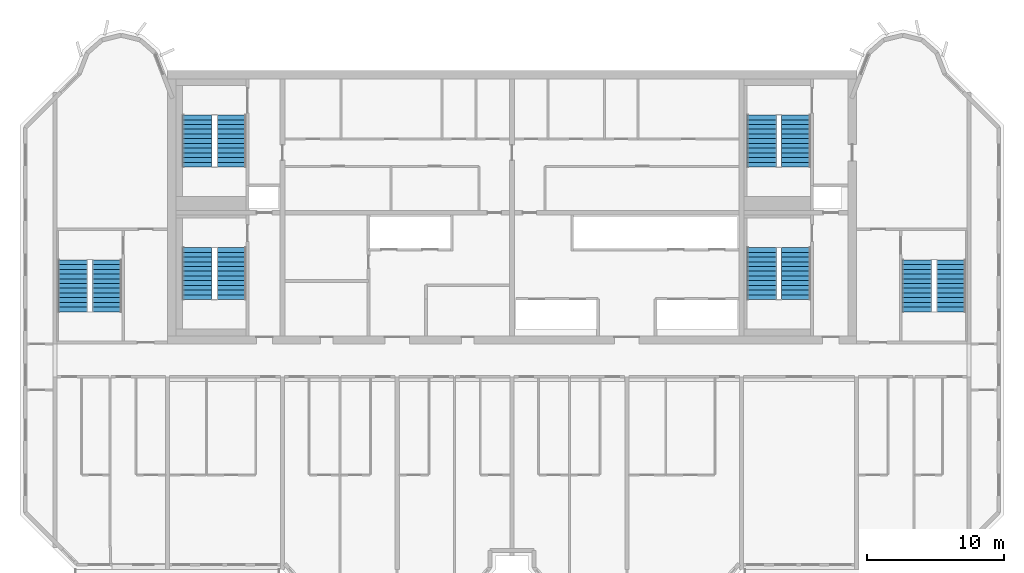
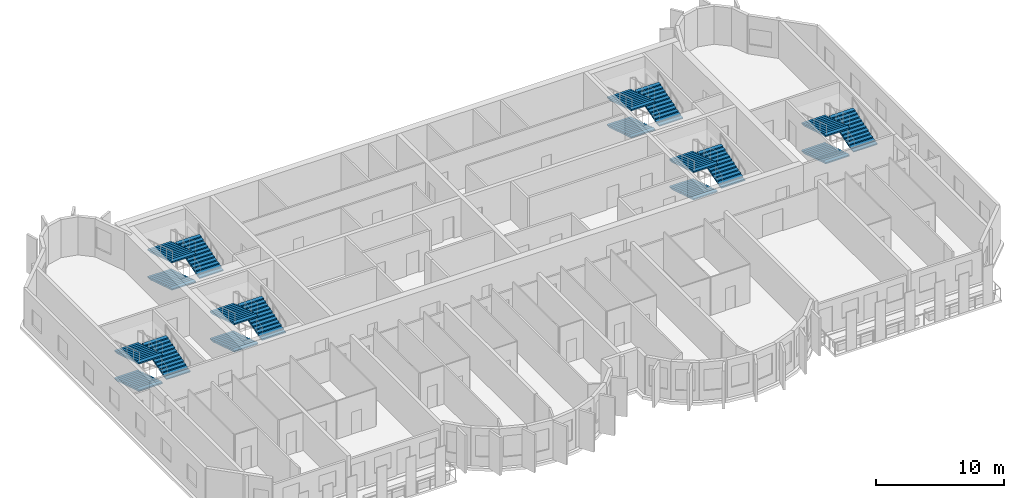
# One storey, part 9 of 11: 18 stair flights, 6 elements without a shape of their own.
"""IFC4 building model written with IfcOpenShell, lengths in metres."""

from ifc_helpers import new_model, si_unit, direction, frame, origin, place, context, subcontext, project, spatial, polyline, outline, extrude, source, transform, mapped, material, type_object, element, aggregate, save


model = new_model("IFC4")

# Units and contexts
model_context = context("Model", 3, precision=1e-05, world=origin(), true_north=direction((0.0, 1.0)))
body_context = subcontext(model_context, "Body", "Model", "MODEL_VIEW")
ifc_project = project(units=[si_unit("LENGTHUNIT", "METRE"), si_unit("AREAUNIT", "SQUARE_METRE"), si_unit("VOLUMEUNIT", "CUBIC_METRE"), si_unit("PLANEANGLEUNIT", "RADIAN"), si_unit("MASSUNIT", "GRAM", prefix="KILO")], contexts=[model_context])

# Site, building, storey
site_placement = place(None, origin())
site = spatial("IfcSite", under=ifc_project, at=site_placement, CompositionType="ELEMENT")
building_placement = place(site_placement, origin())
building = spatial("IfcBuilding", under=site, at=building_placement, Name="Vanashikhar Sky Hotel", CompositionType="ELEMENT")
storey_placement = place(building_placement, frame((0.0, 0.0, 225.699951171875)))
storey = spatial("IfcBuildingStorey", under=building, at=storey_placement, Name="L54", CompositionType="ELEMENT", Elevation=225.699951171875)

# Stair, stair flights
ifc_material = material(Name="Concrete M40", Category="concrete")
stair_type = type_object("IfcStairType", Name="Exit stair 2150", PredefinedType="DOUBLE_RETURN_STAIR", material=ifc_material)
stair_1_placement = place(storey_placement, origin())
stair_1 = element("IfcStair", 1, at=stair_1_placement, inside=storey, type_object=stair_type, Name="L54 Exit stair 1", PredefinedType="DOUBLE_RETURN_STAIR")
stair_flight_type = type_object("IfcStairFlightType", Name="Stair flight 2150", PredefinedType="STRAIGHT", material=ifc_material)
shared_shape = source(origin(), body_context, "Body", "SweptSolid", [
    extrude(outline(polyline([(0.0, 0.0), (0.0, 0.1083984375), (0.345458984375, 0.1083984375), (0.345458984375, 0.216552734375), (0.69091796875, 0.216552734375), (0.69091796875, 0.324951171875), (1.036376953125, 0.324951171875), (1.036376953125, 0.433349609375), (1.3818359375, 0.433349609375), (1.3818359375, 0.541748046875), (1.727294921875, 0.541748046875), (1.727294921875, 0.64990234375), (2.07275390625, 0.64990234375), (2.07275390625, 0.75830078125), (2.418212890625, 0.75830078125), (2.418212890625, 0.86669921875), (2.763671875, 0.86669921875), (2.763671875, 0.97509765625), (3.109130859375, 0.97509765625), (3.109130859375, 1.083251953125), (3.45458984375, 1.083251953125), (3.45458984375, 1.191650390625), (3.800048828125, 1.191650390625), (3.800048828125, 1.300048828125), (3.800048828125, 1.065673828125), (0.4013671875, 0.0), (0.0, 0.0)])), frame((0.0, 1.074951171875, 0.0), z_axis=(0.0, -1.0, 0.0), x_axis=(1.0, 0.0, 0.0)), (0.0, 0.0, 1.0), 2.14990234375),
])
stair_flight_1_placement = place(storey_placement, frame((27.375, 29.050048828125, 0.0), z_axis=(0.0, 0.0, 1.0), x_axis=(0.0, -1.0, 0.0)))
stair_flight_1 = element("IfcStairFlight", 2, at=stair_flight_1_placement, type_object=stair_flight_type, Name="ST-C1 flight 1", NumberOfRisers=12, NumberOfTreads=11, PredefinedType="STRAIGHT", RiserHeight=0.108333333, TreadLength=0.345454545, context=body_context, shape_type="MappedRepresentation", body=[
    mapped(shared_shape, transform((0.0, 0.0, 0.0), scale=1.0)),
])
stair_flight_2_placement = place(storey_placement, frame((29.875, 25.25, 1.300048828125), z_axis=(0.0, 0.0, 1.0), x_axis=(0.0, 1.0, 0.0)))
stair_flight_2 = element("IfcStairFlight", 3, at=stair_flight_2_placement, type_object=stair_flight_type, Name="ST-C1 flight 2", NumberOfRisers=12, NumberOfTreads=11, PredefinedType="STRAIGHT", RiserHeight=0.108333333, TreadLength=0.345454545, context=body_context, shape_type="MappedRepresentation", body=[
    mapped(shared_shape, transform((0.0, 0.0, 0.0), scale=1.0)),
])
stair_flight_3_placement = place(storey_placement, frame((27.375, 29.050048828125, 2.60009765625), z_axis=(0.0, 0.0, 1.0), x_axis=(0.0, -1.0, 0.0)))
stair_flight_3 = element("IfcStairFlight", 4, at=stair_flight_3_placement, type_object=stair_flight_type, Name="ST-C1 flight 3", NumberOfRisers=12, NumberOfTreads=11, PredefinedType="STRAIGHT", RiserHeight=0.108333333, TreadLength=0.345454545, context=body_context, shape_type="MappedRepresentation", body=[
    mapped(shared_shape, transform((0.0, 0.0, 0.0), scale=1.0)),
])
aggregate(stair_1, [stair_flight_1, stair_flight_2, stair_flight_3])

stair_2_placement = place(storey_placement, origin())
stair_2 = element("IfcStair", 5, at=stair_2_placement, inside=storey, type_object=stair_type, Name="L54 Exit stair 2", PredefinedType="DOUBLE_RETURN_STAIR")
stair_flight_4_placement = place(storey_placement, frame((68.675048828125, 29.050048828125, 0.0), z_axis=(0.0, 0.0, 1.0), x_axis=(0.0, -1.0, 0.0)))
stair_flight_4 = element("IfcStairFlight", 6, at=stair_flight_4_placement, type_object=stair_flight_type, Name="ST-C2 flight 1", NumberOfRisers=12, NumberOfTreads=11, PredefinedType="STRAIGHT", RiserHeight=0.108333333, TreadLength=0.345454545, context=body_context, shape_type="MappedRepresentation", body=[
    mapped(shared_shape, transform((0.0, 0.0, 0.0), scale=1.0)),
])
stair_flight_5_placement = place(storey_placement, frame((71.175048828125, 25.25, 1.300048828125), z_axis=(0.0, 0.0, 1.0), x_axis=(0.0, 1.0, 0.0)))
stair_flight_5 = element("IfcStairFlight", 7, at=stair_flight_5_placement, type_object=stair_flight_type, Name="ST-C2 flight 2", NumberOfRisers=12, NumberOfTreads=11, PredefinedType="STRAIGHT", RiserHeight=0.108333333, TreadLength=0.345454545, context=body_context, shape_type="MappedRepresentation", body=[
    mapped(shared_shape, transform((0.0, 0.0, 0.0), scale=1.0)),
])
stair_flight_6_placement = place(storey_placement, frame((68.675048828125, 29.050048828125, 2.60009765625), z_axis=(0.0, 0.0, 1.0), x_axis=(0.0, -1.0, 0.0)))
stair_flight_6 = element("IfcStairFlight", 8, at=stair_flight_6_placement, type_object=stair_flight_type, Name="ST-C2 flight 3", NumberOfRisers=12, NumberOfTreads=11, PredefinedType="STRAIGHT", RiserHeight=0.108333333, TreadLength=0.345454545, context=body_context, shape_type="MappedRepresentation", body=[
    mapped(shared_shape, transform((0.0, 0.0, 0.0), scale=1.0)),
])
aggregate(stair_2, [stair_flight_4, stair_flight_5, stair_flight_6])

stair_3_placement = place(storey_placement, origin())
stair_3 = element("IfcStair", 9, at=stair_3_placement, inside=storey, type_object=stair_type, Name="L54 Exit stair 3", PredefinedType="DOUBLE_RETURN_STAIR")
stair_flight_7_placement = place(storey_placement, frame((18.27490234375, 28.14990234375, 0.0), z_axis=(0.0, 0.0, 1.0), x_axis=(0.0, -1.0, 0.0)))
stair_flight_7 = element("IfcStairFlight", 10, at=stair_flight_7_placement, type_object=stair_flight_type, Name="ST-W flight 1", NumberOfRisers=12, NumberOfTreads=11, PredefinedType="STRAIGHT", RiserHeight=0.108333333, TreadLength=0.345454545, context=body_context, shape_type="MappedRepresentation", body=[
    mapped(shared_shape, transform((0.0, 0.0, 0.0), scale=1.0)),
])
stair_flight_8_placement = place(storey_placement, frame((20.77490234375, 24.35009765625, 1.300048828125), z_axis=(0.0, 0.0, 1.0), x_axis=(0.0, 1.0, 0.0)))
stair_flight_8 = element("IfcStairFlight", 11, at=stair_flight_8_placement, type_object=stair_flight_type, Name="ST-W flight 2", NumberOfRisers=12, NumberOfTreads=11, PredefinedType="STRAIGHT", RiserHeight=0.108333333, TreadLength=0.345454545, context=body_context, shape_type="MappedRepresentation", body=[
    mapped(shared_shape, transform((0.0, 0.0, 0.0), scale=1.0)),
])
stair_flight_9_placement = place(storey_placement, frame((18.27490234375, 28.14990234375, 2.60009765625), z_axis=(0.0, 0.0, 1.0), x_axis=(0.0, -1.0, 0.0)))
stair_flight_9 = element("IfcStairFlight", 12, at=stair_flight_9_placement, type_object=stair_flight_type, Name="ST-W flight 3", NumberOfRisers=12, NumberOfTreads=11, PredefinedType="STRAIGHT", RiserHeight=0.108333333, TreadLength=0.345454545, context=body_context, shape_type="MappedRepresentation", body=[
    mapped(shared_shape, transform((0.0, 0.0, 0.0), scale=1.0)),
])
aggregate(stair_3, [stair_flight_7, stair_flight_8, stair_flight_9])

stair_4_placement = place(storey_placement, origin())
stair_4 = element("IfcStair", 13, at=stair_4_placement, inside=storey, type_object=stair_type, Name="L54 Exit stair 4", PredefinedType="DOUBLE_RETURN_STAIR")
stair_flight_10_placement = place(storey_placement, frame((80.02490234375, 28.14990234375, 0.0), z_axis=(0.0, 0.0, 1.0), x_axis=(0.0, -1.0, 0.0)))
stair_flight_10 = element("IfcStairFlight", 14, at=stair_flight_10_placement, type_object=stair_flight_type, Name="ST-E flight 1", NumberOfRisers=12, NumberOfTreads=11, PredefinedType="STRAIGHT", RiserHeight=0.108333333, TreadLength=0.345454545, context=body_context, shape_type="MappedRepresentation", body=[
    mapped(shared_shape, transform((0.0, 0.0, 0.0), scale=1.0)),
])
stair_flight_11_placement = place(storey_placement, frame((82.52490234375, 24.35009765625, 1.300048828125), z_axis=(0.0, 0.0, 1.0), x_axis=(0.0, 1.0, 0.0)))
stair_flight_11 = element("IfcStairFlight", 15, at=stair_flight_11_placement, type_object=stair_flight_type, Name="ST-E flight 2", NumberOfRisers=12, NumberOfTreads=11, PredefinedType="STRAIGHT", RiserHeight=0.108333333, TreadLength=0.345454545, context=body_context, shape_type="MappedRepresentation", body=[
    mapped(shared_shape, transform((0.0, 0.0, 0.0), scale=1.0)),
])
stair_flight_12_placement = place(storey_placement, frame((80.02490234375, 28.14990234375, 2.60009765625), z_axis=(0.0, 0.0, 1.0), x_axis=(0.0, -1.0, 0.0)))
stair_flight_12 = element("IfcStairFlight", 16, at=stair_flight_12_placement, type_object=stair_flight_type, Name="ST-E flight 3", NumberOfRisers=12, NumberOfTreads=11, PredefinedType="STRAIGHT", RiserHeight=0.108333333, TreadLength=0.345454545, context=body_context, shape_type="MappedRepresentation", body=[
    mapped(shared_shape, transform((0.0, 0.0, 0.0), scale=1.0)),
])
aggregate(stair_4, [stair_flight_10, stair_flight_11, stair_flight_12])

stair_5_placement = place(storey_placement, origin())
stair_5 = element("IfcStair", 17, at=stair_5_placement, inside=storey, type_object=stair_type, Name="L54 Exit stair 5", PredefinedType="DOUBLE_RETURN_STAIR")
stair_flight_13_placement = place(storey_placement, frame((27.375, 38.75, 0.0), z_axis=(0.0, 0.0, 1.0), x_axis=(0.0, -1.0, 0.0)))
stair_flight_13 = element("IfcStairFlight", 18, at=stair_flight_13_placement, type_object=stair_flight_type, Name="ST-C3 flight 1", NumberOfRisers=12, NumberOfTreads=11, PredefinedType="STRAIGHT", RiserHeight=0.108333333, TreadLength=0.345454545, context=body_context, shape_type="MappedRepresentation", body=[
    mapped(shared_shape, transform((0.0, 0.0, 0.0), scale=1.0)),
])
stair_flight_14_placement = place(storey_placement, frame((29.875, 34.949951171875, 1.300048828125), z_axis=(0.0, 0.0, 1.0), x_axis=(0.0, 1.0, 0.0)))
stair_flight_14 = element("IfcStairFlight", 19, at=stair_flight_14_placement, type_object=stair_flight_type, Name="ST-C3 flight 2", NumberOfRisers=12, NumberOfTreads=11, PredefinedType="STRAIGHT", RiserHeight=0.108333333, TreadLength=0.345454545, context=body_context, shape_type="MappedRepresentation", body=[
    mapped(shared_shape, transform((0.0, 0.0, 0.0), scale=1.0)),
])
stair_flight_15_placement = place(storey_placement, frame((27.375, 38.75, 2.60009765625), z_axis=(0.0, 0.0, 1.0), x_axis=(0.0, -1.0, 0.0)))
stair_flight_15 = element("IfcStairFlight", 20, at=stair_flight_15_placement, type_object=stair_flight_type, Name="ST-C3 flight 3", NumberOfRisers=12, NumberOfTreads=11, PredefinedType="STRAIGHT", RiserHeight=0.108333333, TreadLength=0.345454545, context=body_context, shape_type="MappedRepresentation", body=[
    mapped(shared_shape, transform((0.0, 0.0, 0.0), scale=1.0)),
])
aggregate(stair_5, [stair_flight_13, stair_flight_14, stair_flight_15])

stair_6_placement = place(storey_placement, origin())
stair_6 = element("IfcStair", 21, at=stair_6_placement, inside=storey, type_object=stair_type, Name="L54 Exit stair 6", PredefinedType="DOUBLE_RETURN_STAIR")
stair_flight_16_placement = place(storey_placement, frame((68.675048828125, 38.75, 0.0), z_axis=(0.0, 0.0, 1.0), x_axis=(0.0, -1.0, 0.0)))
stair_flight_16 = element("IfcStairFlight", 22, at=stair_flight_16_placement, type_object=stair_flight_type, Name="ST-C4 flight 1", NumberOfRisers=12, NumberOfTreads=11, PredefinedType="STRAIGHT", RiserHeight=0.108333333, TreadLength=0.345454545, context=body_context, shape_type="MappedRepresentation", body=[
    mapped(shared_shape, transform((0.0, 0.0, 0.0), scale=1.0)),
])
stair_flight_17_placement = place(storey_placement, frame((71.175048828125, 34.949951171875, 1.300048828125), z_axis=(0.0, 0.0, 1.0), x_axis=(0.0, 1.0, 0.0)))
stair_flight_17 = element("IfcStairFlight", 23, at=stair_flight_17_placement, type_object=stair_flight_type, Name="ST-C4 flight 2", NumberOfRisers=12, NumberOfTreads=11, PredefinedType="STRAIGHT", RiserHeight=0.108333333, TreadLength=0.345454545, context=body_context, shape_type="MappedRepresentation", body=[
    mapped(shared_shape, transform((0.0, 0.0, 0.0), scale=1.0)),
])
stair_flight_18_placement = place(storey_placement, frame((68.675048828125, 38.75, 2.60009765625), z_axis=(0.0, 0.0, 1.0), x_axis=(0.0, -1.0, 0.0)))
stair_flight_18 = element("IfcStairFlight", 24, at=stair_flight_18_placement, type_object=stair_flight_type, Name="ST-C4 flight 3", NumberOfRisers=12, NumberOfTreads=11, PredefinedType="STRAIGHT", RiserHeight=0.108333333, TreadLength=0.345454545, context=body_context, shape_type="MappedRepresentation", body=[
    mapped(shared_shape, transform((0.0, 0.0, 0.0), scale=1.0)),
])
aggregate(stair_6, [stair_flight_16, stair_flight_17, stair_flight_18])

save(model, "model.ifc")
